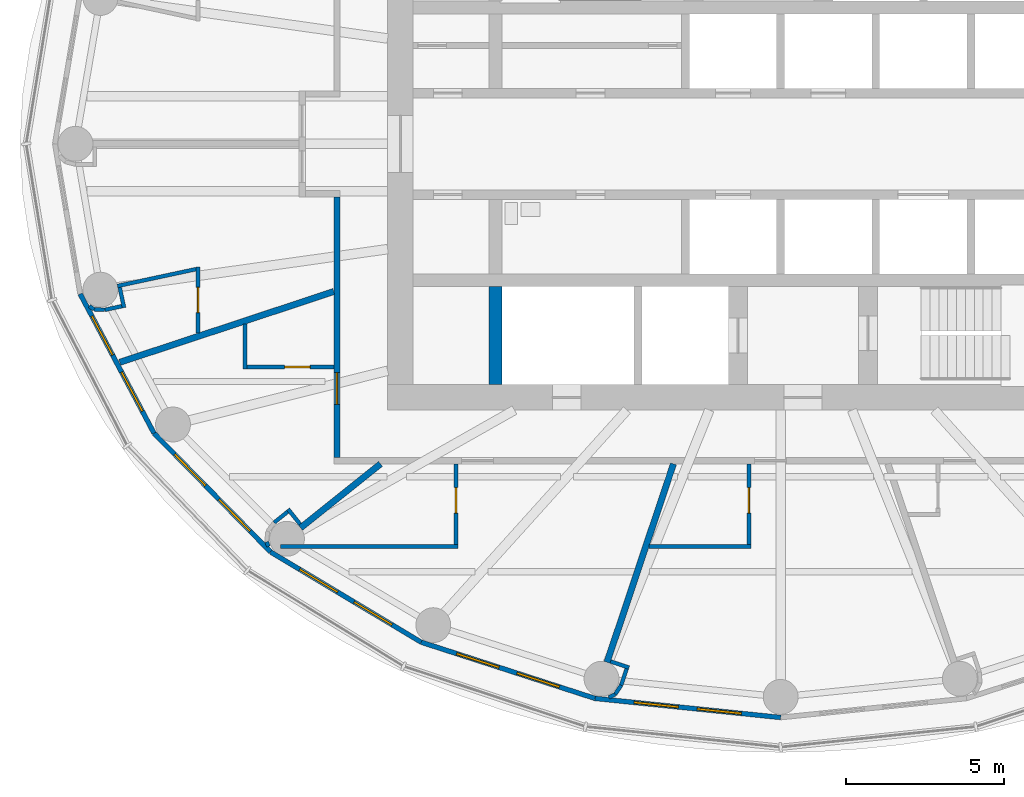
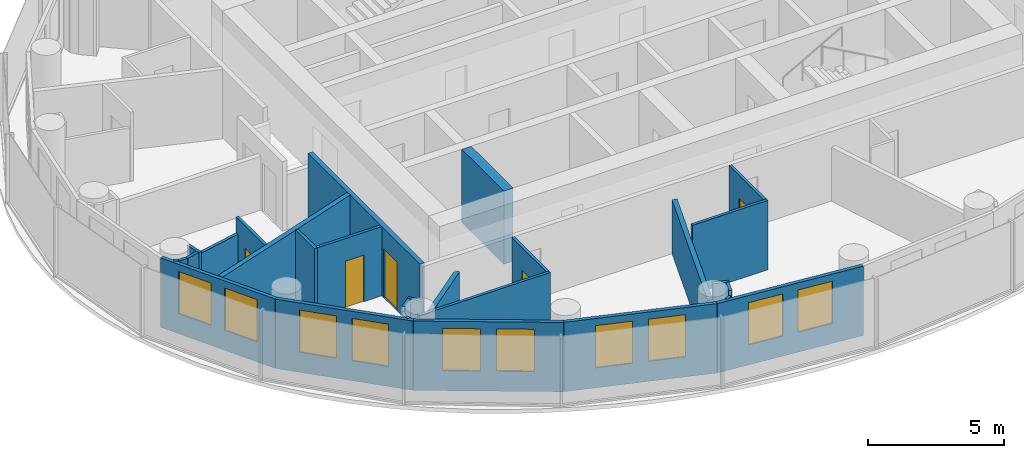
# One storey, part 6 of 16: 29 walls, 10 windows, 5 doors, 15 openings.
"""IFC4 building model written with IfcOpenShell, lengths in metres."""

from ifc_helpers import new_model, si_unit, direction, frame, frame_2d, origin, place, context, subcontext, project, spatial, rectangle, extrude, material, layer, layer_set, type_object, element, fill, save


model = new_model("IFC4")

# Units and contexts
model_context = context("Model", 3, precision=1e-05, world=origin(), true_north=direction((0.0, 1.0)))
body_context = subcontext(model_context, "Body", "Model", "MODEL_VIEW")
ifc_project = project(units=[si_unit("LENGTHUNIT", "METRE"), si_unit("AREAUNIT", "SQUARE_METRE"), si_unit("VOLUMEUNIT", "CUBIC_METRE"), si_unit("PLANEANGLEUNIT", "RADIAN"), si_unit("MASSUNIT", "GRAM", prefix="KILO")], contexts=[model_context])

# Site, building, storey
site_placement = place(None, origin())
site = spatial("IfcSite", under=ifc_project, at=site_placement, CompositionType="ELEMENT")
building_placement = place(site_placement, origin())
building = spatial("IfcBuilding", under=site, at=building_placement, Name="Hankou Lantern Tower", CompositionType="ELEMENT")
storey_placement = place(building_placement, frame((0.0, 0.0, 173.10009765625)))
storey = spatial("IfcBuildingStorey", under=building, at=storey_placement, Name="L46", CompositionType="ELEMENT", Elevation=173.10009765625)

# Wall
ifc_material_1 = material(Name="Concrete C60", Category="concrete")
ifc_layer_1 = layer(ifc_material_1, 0.39990234375)
ifc_layer_set_1 = layer_set([ifc_layer_1], Name="Concrete C60")
wall_type_1 = type_object("IfcWallType", Name="CW4 CORE CROSS WALL 400", PredefinedType="SHEAR", material=ifc_layer_set_1)
wall_1_placement = place(storey_placement, frame((-9.0, -7.60009765625, 0.0), z_axis=(0.0, 0.0, 1.0), x_axis=(0.0, 1.0, 0.0)))
element("IfcWall", 1, at=wall_1_placement, inside=storey, type_object=wall_type_1, Name="Core strip wall L46", PredefinedType="SHEAR", context=body_context, shape_type="SweptSolid", body=[
    extrude(rectangle(XDim=3.10009765625, YDim=0.39990234375, at=frame_2d((1.550048828125, 0.0))), origin(), (0.0, 0.0, 1.0), 3.2998046875),
])

# Wall, openings, windows
ifc_material_2 = material(Name="Aluminium spandrel panel on steel studs", Category="steel")
ifc_layer_2 = layer(ifc_material_2, 0.14990234375)
ifc_layer_set_2 = layer_set([ifc_layer_2], Name="Aluminium spandrel panel on steel studs")
wall_type_2 = type_object("IfcWallType", Name="EW1 INNER SKIN WALL 150", PredefinedType="ELEMENTEDWALL", material=ifc_layer_set_2)
wall_2_placement = place(storey_placement, frame((-22.1015625, -4.73779296875, 0.0), z_axis=(0.0, 0.0, 1.0), x_axis=(0.468428906714, -0.883501193748, 0.0)))
wall_2 = element("IfcWall", 2, at=wall_2_placement, inside=storey, type_object=wall_type_2, Name="Inner skin R14-R15 L46", PredefinedType="ELEMENTEDWALL", context=body_context, shape_type="SweptSolid", body=[
    extrude(rectangle(XDim=4.9736328125, YDim=0.14990234375, at=frame_2d((2.48681640625, 0.0))), origin(), (0.0, 0.0, 1.0), 3.119873046875),
])
opening_1_placement = place(wall_2_placement, frame((0.786865234375, 0.0, 0.89990234375)))
opening_1 = element("IfcOpeningElement", 3, at=opening_1_placement, cuts=wall_2, Name="Opening W3", PredefinedType="OPENING", context=body_context, shape_type="SweptSolid", body=[
    extrude(rectangle(XDim=1.39990234375, YDim=1.89990234375, at=frame_2d((0.699951171875, 0.949951171875))), frame((0.0, 0.0849609375, 0.0), z_axis=(0.0, -1.0, 0.0), x_axis=(1.0, 0.0, 0.0)), (0.0, 0.0, 1.0), 0.169921875),
])
opening_2_placement = place(wall_2_placement, frame((2.786865234375, 0.0, 0.89990234375)))
opening_2 = element("IfcOpeningElement", 4, at=opening_2_placement, cuts=wall_2, Name="Opening W3", PredefinedType="OPENING", context=body_context, shape_type="SweptSolid", body=[
    extrude(rectangle(XDim=1.39990234375, YDim=1.89990234375, at=frame_2d((0.699951171875, 0.949951171875))), frame((0.0, 0.0849609375, 0.0), z_axis=(0.0, -1.0, 0.0), x_axis=(1.0, 0.0, 0.0)), (0.0, 0.0, 1.0), 0.169921875),
])
ifc_material_3 = material(Name="Aluminium framed double glazed window", Category="aluminium")
window_type = type_object("IfcWindowType", Name="W3 GUEST ROOM WINDOW 1400X1900", PartitioningType="DOUBLE_PANEL_VERTICAL", PredefinedType="WINDOW", material=ifc_material_3)
window_1_placement = place(opening_1_placement, origin())
window_1 = element("IfcWindow", 5, at=window_1_placement, inside=storey, type_object=window_type, Name="Window R14.1 L46", OverallHeight=1.89990234375, OverallWidth=1.39990234375, PartitioningType="SINGLE_PANEL", PredefinedType="WINDOW", context=body_context, shape_type="SweptSolid", body=[
    extrude(rectangle(XDim=1.39990234375, YDim=1.89990234375, at=frame_2d((0.699951171875, 0.949951171875))), frame((0.0, 0.030029296875, 0.0), z_axis=(0.0, -1.0, 0.0), x_axis=(1.0, 0.0, 0.0)), (0.0, 0.0, 1.0), 0.06005859375),
])
fill(opening_1, window_1)
window_2_placement = place(opening_2_placement, origin())
window_2 = element("IfcWindow", 6, at=window_2_placement, inside=storey, type_object=window_type, Name="Window R14.2 L46", OverallHeight=1.89990234375, OverallWidth=1.39990234375, PartitioningType="SINGLE_PANEL", PredefinedType="WINDOW", context=body_context, shape_type="SweptSolid", body=[
    extrude(rectangle(XDim=1.39990234375, YDim=1.89990234375, at=frame_2d((0.699951171875, 0.949951171875))), frame((0.0, 0.030029296875, 0.0), z_axis=(0.0, -1.0, 0.0), x_axis=(1.0, 0.0, 0.0)), (0.0, 0.0, 1.0), 0.06005859375),
])
fill(opening_2, window_2)

wall_3_placement = place(storey_placement, frame((-19.771728515625, -9.132080078125, 0.0), z_axis=(0.0, 0.0, 1.0), x_axis=(0.700727467776, -0.71342905457, 0.0)))
wall_3 = element("IfcWall", 7, at=wall_3_placement, inside=storey, type_object=wall_type_2, Name="Inner skin R15-R16 L46", PredefinedType="ELEMENTEDWALL", context=body_context, shape_type="SweptSolid", body=[
    extrude(rectangle(XDim=5.247314453125, YDim=0.14990234375, at=frame_2d((2.62353515625, 0.0))), origin(), (0.0, 0.0, 1.0), 3.119873046875),
])
opening_3_placement = place(wall_3_placement, frame((0.923583984375, 0.0, 0.89990234375)))
opening_3 = element("IfcOpeningElement", 8, at=opening_3_placement, cuts=wall_3, Name="Opening W3", PredefinedType="OPENING", context=body_context, shape_type="SweptSolid", body=[
    extrude(rectangle(XDim=1.39990234375, YDim=1.89990234375, at=frame_2d((0.699951171875, 0.949951171875))), frame((0.0, 0.0849609375, 0.0), z_axis=(0.0, -1.0, 0.0), x_axis=(1.0, 0.0, 0.0)), (0.0, 0.0, 1.0), 0.169921875),
])
opening_4_placement = place(wall_3_placement, frame((2.923583984375, 0.0, 0.89990234375)))
opening_4 = element("IfcOpeningElement", 9, at=opening_4_placement, cuts=wall_3, Name="Opening W3", PredefinedType="OPENING", context=body_context, shape_type="SweptSolid", body=[
    extrude(rectangle(XDim=1.39990234375, YDim=1.89990234375, at=frame_2d((0.699951171875, 0.949951171875))), frame((0.0, 0.0849609375, 0.0), z_axis=(0.0, -1.0, 0.0), x_axis=(1.0, 0.0, 0.0)), (0.0, 0.0, 1.0), 0.169921875),
])
window_3_placement = place(opening_3_placement, origin())
window_3 = element("IfcWindow", 10, at=window_3_placement, inside=storey, type_object=window_type, Name="Window R15.1 L46", OverallHeight=1.89990234375, OverallWidth=1.39990234375, PartitioningType="SINGLE_PANEL", PredefinedType="WINDOW", context=body_context, shape_type="SweptSolid", body=[
    extrude(rectangle(XDim=1.39990234375, YDim=1.89990234375, at=frame_2d((0.699951171875, 0.949951171875))), frame((0.0, 0.030029296875, 0.0), z_axis=(0.0, -1.0, 0.0), x_axis=(1.0, 0.0, 0.0)), (0.0, 0.0, 1.0), 0.06005859375),
])
fill(opening_3, window_3)
window_4_placement = place(opening_4_placement, origin())
window_4 = element("IfcWindow", 11, at=window_4_placement, inside=storey, type_object=window_type, Name="Window R15.2 L46", OverallHeight=1.89990234375, OverallWidth=1.39990234375, PartitioningType="SINGLE_PANEL", PredefinedType="WINDOW", context=body_context, shape_type="SweptSolid", body=[
    extrude(rectangle(XDim=1.39990234375, YDim=1.89990234375, at=frame_2d((0.699951171875, 0.949951171875))), frame((0.0, 0.030029296875, 0.0), z_axis=(0.0, -1.0, 0.0), x_axis=(1.0, 0.0, 0.0)), (0.0, 0.0, 1.0), 0.06005859375),
])
fill(opening_4, window_4)

wall_4_placement = place(storey_placement, frame((-16.0947265625, -12.875732421875, 0.0), z_axis=(0.0, 0.0, 1.0), x_axis=(0.857695199231, -0.514158482587, 0.0)))
wall_4 = element("IfcWall", 12, at=wall_4_placement, inside=storey, type_object=wall_type_2, Name="Inner skin R16-R17 L46", PredefinedType="ELEMENTEDWALL", context=body_context, shape_type="SweptSolid", body=[
    extrude(rectangle(XDim=5.5361328125, YDim=0.14990234375, at=frame_2d((2.76806640625, 0.0))), origin(), (0.0, 0.0, 1.0), 3.119873046875),
])
opening_5_placement = place(wall_4_placement, frame((1.068115234375, 0.0, 0.89990234375)))
opening_5 = element("IfcOpeningElement", 13, at=opening_5_placement, cuts=wall_4, Name="Opening W3", PredefinedType="OPENING", context=body_context, shape_type="SweptSolid", body=[
    extrude(rectangle(XDim=1.39990234375, YDim=1.89990234375, at=frame_2d((0.699951171875, 0.949951171875))), frame((0.0, 0.0849609375, 0.0), z_axis=(0.0, -1.0, 0.0), x_axis=(1.0, 0.0, 0.0)), (0.0, 0.0, 1.0), 0.169921875),
])
opening_6_placement = place(wall_4_placement, frame((3.068115234375, 0.0, 0.89990234375)))
opening_6 = element("IfcOpeningElement", 14, at=opening_6_placement, cuts=wall_4, Name="Opening W3", PredefinedType="OPENING", context=body_context, shape_type="SweptSolid", body=[
    extrude(rectangle(XDim=1.39990234375, YDim=1.89990234375, at=frame_2d((0.699951171875, 0.949951171875))), frame((0.0, 0.0849609375, 0.0), z_axis=(0.0, -1.0, 0.0), x_axis=(1.0, 0.0, 0.0)), (0.0, 0.0, 1.0), 0.169921875),
])
window_5_placement = place(opening_5_placement, origin())
window_5 = element("IfcWindow", 15, at=window_5_placement, inside=storey, type_object=window_type, Name="Window R16.1 L46", OverallHeight=1.89990234375, OverallWidth=1.39990234375, PartitioningType="SINGLE_PANEL", PredefinedType="WINDOW", context=body_context, shape_type="SweptSolid", body=[
    extrude(rectangle(XDim=1.39990234375, YDim=1.89990234375, at=frame_2d((0.699951171875, 0.949951171875))), frame((0.0, 0.030029296875, 0.0), z_axis=(0.0, -1.0, 0.0), x_axis=(1.0, 0.0, 0.0)), (0.0, 0.0, 1.0), 0.06005859375),
])
fill(opening_5, window_5)
window_6_placement = place(opening_6_placement, origin())
window_6 = element("IfcWindow", 16, at=window_6_placement, inside=storey, type_object=window_type, Name="Window R16.2 L46", OverallHeight=1.89990234375, OverallWidth=1.39990234375, PartitioningType="SINGLE_PANEL", PredefinedType="WINDOW", context=body_context, shape_type="SweptSolid", body=[
    extrude(rectangle(XDim=1.39990234375, YDim=1.89990234375, at=frame_2d((0.699951171875, 0.949951171875))), frame((0.0, 0.030029296875, 0.0), z_axis=(0.0, -1.0, 0.0), x_axis=(1.0, 0.0, 0.0)), (0.0, 0.0, 1.0), 0.06005859375),
])
fill(opening_6, window_6)

wall_5_placement = place(storey_placement, frame((-11.346435546875, -15.72216796875, 0.0), z_axis=(0.0, 0.0, 1.0), x_axis=(0.951432482129, -0.307857486429, 0.0)))
wall_5 = element("IfcWall", 17, at=wall_5_placement, inside=storey, type_object=wall_type_2, Name="Inner skin R17-R18 L46", PredefinedType="ELEMENTEDWALL", context=body_context, shape_type="SweptSolid", body=[
    extrude(rectangle(XDim=5.76611328125, YDim=0.14990234375, at=frame_2d((2.883056640625, 0.0))), origin(), (0.0, 0.0, 1.0), 3.119873046875),
])
opening_7_placement = place(wall_5_placement, frame((1.18310546875, 0.0, 0.89990234375)))
opening_7 = element("IfcOpeningElement", 18, at=opening_7_placement, cuts=wall_5, Name="Opening W3", PredefinedType="OPENING", context=body_context, shape_type="SweptSolid", body=[
    extrude(rectangle(XDim=1.39990234375, YDim=1.89990234375, at=frame_2d((0.699951171875, 0.949951171875))), frame((0.0, 0.0849609375, 0.0), z_axis=(0.0, -1.0, 0.0), x_axis=(1.0, 0.0, 0.0)), (0.0, 0.0, 1.0), 0.169921875),
])
opening_8_placement = place(wall_5_placement, frame((3.18310546875, 0.0, 0.89990234375)))
opening_8 = element("IfcOpeningElement", 19, at=opening_8_placement, cuts=wall_5, Name="Opening W3", PredefinedType="OPENING", context=body_context, shape_type="SweptSolid", body=[
    extrude(rectangle(XDim=1.39990234375, YDim=1.89990234375, at=frame_2d((0.699951171875, 0.949951171875))), frame((0.0, 0.0849609375, 0.0), z_axis=(0.0, -1.0, 0.0), x_axis=(1.0, 0.0, 0.0)), (0.0, 0.0, 1.0), 0.169921875),
])
window_7_placement = place(opening_7_placement, origin())
window_7 = element("IfcWindow", 20, at=window_7_placement, inside=storey, type_object=window_type, Name="Window R17.1 L46", OverallHeight=1.89990234375, OverallWidth=1.39990234375, PartitioningType="SINGLE_PANEL", PredefinedType="WINDOW", context=body_context, shape_type="SweptSolid", body=[
    extrude(rectangle(XDim=1.39990234375, YDim=1.89990234375, at=frame_2d((0.699951171875, 0.949951171875))), frame((0.0, 0.030029296875, 0.0), z_axis=(0.0, -1.0, 0.0), x_axis=(1.0, 0.0, 0.0)), (0.0, 0.0, 1.0), 0.06005859375),
])
fill(opening_7, window_7)
window_8_placement = place(opening_8_placement, origin())
window_8 = element("IfcWindow", 21, at=window_8_placement, inside=storey, type_object=window_type, Name="Window R17.2 L46", OverallHeight=1.89990234375, OverallWidth=1.39990234375, PartitioningType="SINGLE_PANEL", PredefinedType="WINDOW", context=body_context, shape_type="SweptSolid", body=[
    extrude(rectangle(XDim=1.39990234375, YDim=1.89990234375, at=frame_2d((0.699951171875, 0.949951171875))), frame((0.0, 0.030029296875, 0.0), z_axis=(0.0, -1.0, 0.0), x_axis=(1.0, 0.0, 0.0)), (0.0, 0.0, 1.0), 0.06005859375),
])
fill(opening_8, window_8)

wall_6_placement = place(storey_placement, frame((-5.8603515625, -17.497314453125, 0.0), z_axis=(0.0, 0.0, 1.0), x_axis=(0.994751738032, -0.102318032045, 0.0)))
wall_6 = element("IfcWall", 22, at=wall_6_placement, inside=storey, type_object=wall_type_2, Name="Inner skin R18-R19 L46", PredefinedType="ELEMENTEDWALL", context=body_context, shape_type="SweptSolid", body=[
    extrude(rectangle(XDim=5.891357421875, YDim=0.14990234375, at=frame_2d((2.94580078125, 0.0))), origin(), (0.0, 0.0, 1.0), 3.119873046875),
])
opening_9_placement = place(wall_6_placement, frame((1.24560546875, 0.0, 0.89990234375)))
opening_9 = element("IfcOpeningElement", 23, at=opening_9_placement, cuts=wall_6, Name="Opening W3", PredefinedType="OPENING", context=body_context, shape_type="SweptSolid", body=[
    extrude(rectangle(XDim=1.39990234375, YDim=1.89990234375, at=frame_2d((0.699951171875, 0.949951171875))), frame((0.0, 0.0849609375, 0.0), z_axis=(0.0, -1.0, 0.0), x_axis=(1.0, 0.0, 0.0)), (0.0, 0.0, 1.0), 0.169921875),
])
opening_10_placement = place(wall_6_placement, frame((3.24560546875, 0.0, 0.89990234375)))
opening_10 = element("IfcOpeningElement", 24, at=opening_10_placement, cuts=wall_6, Name="Opening W3", PredefinedType="OPENING", context=body_context, shape_type="SweptSolid", body=[
    extrude(rectangle(XDim=1.39990234375, YDim=1.89990234375, at=frame_2d((0.699951171875, 0.949951171875))), frame((0.0, 0.0849609375, 0.0), z_axis=(0.0, -1.0, 0.0), x_axis=(1.0, 0.0, 0.0)), (0.0, 0.0, 1.0), 0.169921875),
])
window_9_placement = place(opening_9_placement, origin())
window_9 = element("IfcWindow", 25, at=window_9_placement, inside=storey, type_object=window_type, Name="Window R18.1 L46", OverallHeight=1.89990234375, OverallWidth=1.39990234375, PartitioningType="SINGLE_PANEL", PredefinedType="WINDOW", context=body_context, shape_type="SweptSolid", body=[
    extrude(rectangle(XDim=1.39990234375, YDim=1.89990234375, at=frame_2d((0.699951171875, 0.949951171875))), frame((0.0, 0.030029296875, 0.0), z_axis=(0.0, -1.0, 0.0), x_axis=(1.0, 0.0, 0.0)), (0.0, 0.0, 1.0), 0.06005859375),
])
fill(opening_9, window_9)
window_10_placement = place(opening_10_placement, origin())
window_10 = element("IfcWindow", 26, at=window_10_placement, inside=storey, type_object=window_type, Name="Window R18.2 L46", OverallHeight=1.89990234375, OverallWidth=1.39990234375, PartitioningType="SINGLE_PANEL", PredefinedType="WINDOW", context=body_context, shape_type="SweptSolid", body=[
    extrude(rectangle(XDim=1.39990234375, YDim=1.89990234375, at=frame_2d((0.699951171875, 0.949951171875))), frame((0.0, 0.030029296875, 0.0), z_axis=(0.0, -1.0, 0.0), x_axis=(1.0, 0.0, 0.0)), (0.0, 0.0, 1.0), 0.06005859375),
])
fill(opening_10, window_10)

# Walls
ifc_material_4 = material(Name="Masonry lightweight concrete block", Category="masonry")
ifc_layer_3 = layer(ifc_material_4, 0.199951171875)
ifc_layer_set_3 = layer_set([ifc_layer_3], Name="Masonry lightweight concrete block")
wall_type_3 = type_object("IfcWallType", Name="IW1 GUEST ROOM PARTY WALL 200", PredefinedType="PARTITIONING", material=ifc_layer_set_3)
wall_7_placement = place(storey_placement, frame((-14.10009765625, -4.661376953125, 0.0), z_axis=(0.0, 0.0, 1.0), x_axis=(-0.949453216399, -0.313908569285, 0.0)))
element("IfcWall", 27, at=wall_7_placement, inside=storey, type_object=wall_type_3, Name="Party wall R14-R15", PredefinedType="PARTITIONING", context=body_context, shape_type="SweptSolid", body=[
    extrude(rectangle(XDim=7.108642578125, YDim=0.199951171875, at=frame_2d((3.55419921875, 0.0))), origin(), (0.0, 0.0, 1.0), 3.119873046875),
])
wall_8_placement = place(storey_placement, frame((-12.625, -10.10009765625, 0.0), z_axis=(0.0, 0.0, 1.0), x_axis=(-0.780876185034, -0.624685827954, 0.0)))
element("IfcWall", 28, at=wall_8_placement, inside=storey, type_object=wall_type_3, Name="Party wall R16", PredefinedType="PARTITIONING", context=body_context, shape_type="SweptSolid", body=[
    extrude(rectangle(XDim=3.229248046875, YDim=0.199951171875, at=frame_2d((1.61474609375, 0.0))), origin(), (0.0, 0.0, 1.0), 2.419921875),
])
wall_9_placement = place(storey_placement, frame((-3.3828125, -10.10009765625, 0.0), z_axis=(0.0, 0.0, 1.0), x_axis=(-0.317615120474, -0.948219718866, 0.0)))
element("IfcWall", 29, at=wall_9_placement, inside=storey, type_object=wall_type_3, Name="Party wall R18", PredefinedType="PARTITIONING", context=body_context, shape_type="SweptSolid", body=[
    extrude(rectangle(XDim=6.597412109375, YDim=0.199951171875, at=frame_2d((3.298828125, 0.0))), origin(), (0.0, 0.0, 1.0), 2.419921875),
])

# Wall, opening, door
ifc_material_5 = material(Name="Masonry lightweight concrete block", Category="masonry")
ifc_layer_4 = layer(ifc_material_5, 0.199951171875)
ifc_layer_set_4 = layer_set([ifc_layer_4], Name="Masonry lightweight concrete block")
wall_type_4 = type_object("IfcWallType", Name="IW2 CORRIDOR WALL 200", PredefinedType="PARTITIONING", material=ifc_layer_set_4)
wall_10_placement = place(storey_placement, frame((-14.0, -1.669921875, 0.0), z_axis=(0.0, 0.0, 1.0), x_axis=(0.0, -1.0, 0.0)))
wall_10 = element("IfcWall", 30, at=wall_10_placement, inside=storey, type_object=wall_type_4, Name="Corridor wall west", PredefinedType="PARTITIONING", context=body_context, shape_type="SweptSolid", body=[
    extrude(rectangle(XDim=8.22998046875, YDim=0.199951171875, at=frame_2d((4.114990234375, 0.0))), origin(), (0.0, 0.0, 1.0), 3.119873046875),
])
opening_11_placement = place(wall_10_placement, frame((5.551513671875, 0.0, 0.0)))
opening_11 = element("IfcOpeningElement", 31, at=opening_11_placement, cuts=wall_10, Name="Opening D1", PredefinedType="OPENING", context=body_context, shape_type="SweptSolid", body=[
    extrude(rectangle(XDim=1.0, YDim=2.199951171875, at=frame_2d((0.5, 1.10009765625))), frame((0.0, 0.10986328125, 0.0), z_axis=(0.0, -1.0, 0.0), x_axis=(1.0, 0.0, 0.0)), (0.0, 0.0, 1.0), 0.219970703125),
])
ifc_material_6 = material(Name="Steel door leaf", Category="steel")
door_type_1 = type_object("IfcDoorType", Name="D1 GUEST ROOM DOOR 1000X2200", OperationType="SINGLE_SWING_LEFT", PredefinedType="DOOR", material=ifc_material_6)
door_1_placement = place(opening_11_placement, origin())
door_1 = element("IfcDoor", 32, at=door_1_placement, inside=storey, type_object=door_type_1, Name="Guest room door 4614", OperationType="SINGLE_SWING_RIGHT", OverallHeight=2.199951171875, OverallWidth=1.0, PredefinedType="DOOR", context=body_context, shape_type="SweptSolid", body=[
    extrude(rectangle(XDim=1.0, YDim=2.199951171875, at=frame_2d((0.5, 1.10009765625))), frame((0.0, 0.02490234375, 0.0), z_axis=(0.0, -1.0, 0.0), x_axis=(1.0, 0.0, 0.0)), (0.0, 0.0, 1.0), 0.050048828125),
])
fill(opening_11, door_1)

# Wall
ifc_material_7 = material(Name="Masonry lightweight concrete block", Category="masonry")
ifc_layer_5 = layer(ifc_material_7, 0.1201171875)
ifc_layer_set_5 = layer_set([ifc_layer_5], Name="Masonry lightweight concrete block")
wall_type_5 = type_object("IfcWallType", Name="IW3 BATHROOM WALL 120", PredefinedType="PARTITIONING", material=ifc_layer_set_5)
wall_11_placement = place(storey_placement, frame((-15.77490234375, -12.699951171875, 0.0), z_axis=(0.0, 0.0, 1.0), x_axis=(1.0, 0.0, 0.0)))
element("IfcWall", 33, at=wall_11_placement, inside=storey, type_object=wall_type_5, Name="Box wall 4601 1", PredefinedType="PARTITIONING", context=body_context, shape_type="SweptSolid", body=[
    extrude(rectangle(XDim=5.58984375, YDim=0.1201171875, at=frame_2d((2.794921875, 0.0))), origin(), (0.0, 0.0, 1.0), 3.119873046875),
])

# Wall, opening, door
wall_12_placement = place(storey_placement, frame((-10.2451171875, -10.10009765625, 0.0), z_axis=(0.0, 0.0, 1.0), x_axis=(0.0, -1.0, 0.0)))
wall_12 = element("IfcWall", 34, at=wall_12_placement, inside=storey, type_object=wall_type_5, Name="Box wall 4601 1", PredefinedType="PARTITIONING", context=body_context, shape_type="SweptSolid", body=[
    extrude(rectangle(XDim=2.539794921875, YDim=0.1201171875, at=frame_2d((1.27001953125, 0.0))), origin(), (0.0, 0.0, 1.0), 3.119873046875),
])
opening_12_placement = place(wall_12_placement, frame((0.75, 0.0, 0.0)))
opening_12 = element("IfcOpeningElement", 35, at=opening_12_placement, cuts=wall_12, Name="Opening D3", PredefinedType="OPENING", context=body_context, shape_type="SweptSolid", body=[
    extrude(rectangle(XDim=0.800048828125, YDim=2.10009765625, at=frame_2d((0.39990234375, 1.050048828125))), frame((0.0, 0.070068359375, 0.0), z_axis=(0.0, -1.0, 0.0), x_axis=(1.0, 0.0, 0.0)), (0.0, 0.0, 1.0), 0.14013671875),
])
ifc_material_8 = material(Name="Timber door leaf", Category="wood")
door_type_2 = type_object("IfcDoorType", Name="D3 BATHROOM DOOR 800X2100", OperationType="SINGLE_SWING_LEFT", PredefinedType="DOOR", material=ifc_material_8)
door_2_placement = place(opening_12_placement, origin())
door_2 = element("IfcDoor", 36, at=door_2_placement, inside=storey, type_object=door_type_2, Name="Junior suite 4601 bathroom door", OperationType="SINGLE_SWING_LEFT", OverallHeight=2.10009765625, OverallWidth=0.800048828125, PredefinedType="DOOR", context=body_context, shape_type="SweptSolid", body=[
    extrude(rectangle(XDim=0.800048828125, YDim=2.10009765625, at=frame_2d((0.39990234375, 1.050048828125))), frame((0.0, 0.02490234375, 0.0), z_axis=(0.0, -1.0, 0.0), x_axis=(1.0, 0.0, 0.0)), (0.0, 0.0, 1.0), 0.050048828125),
])
fill(opening_12, door_2)

# Wall
wall_13_placement = place(storey_placement, frame((-4.15380859375, -12.699951171875, 0.0), z_axis=(0.0, 0.0, 1.0), x_axis=(1.0, 0.0, 0.0)))
element("IfcWall", 37, at=wall_13_placement, inside=storey, type_object=wall_type_5, Name="Box wall 4602 1", PredefinedType="PARTITIONING", context=body_context, shape_type="SweptSolid", body=[
    extrude(rectangle(XDim=3.2109375, YDim=0.1201171875, at=frame_2d((1.60546875, 0.0))), origin(), (0.0, 0.0, 1.0), 3.119873046875),
])

# Wall, opening, door
wall_14_placement = place(storey_placement, frame((-1.0029296875, -10.10009765625, 0.0), z_axis=(0.0, 0.0, 1.0), x_axis=(0.0, -1.0, 0.0)))
wall_14 = element("IfcWall", 38, at=wall_14_placement, inside=storey, type_object=wall_type_5, Name="Box wall 4602 1", PredefinedType="PARTITIONING", context=body_context, shape_type="SweptSolid", body=[
    extrude(rectangle(XDim=2.539794921875, YDim=0.1201171875, at=frame_2d((1.27001953125, 0.0))), origin(), (0.0, 0.0, 1.0), 3.119873046875),
])
opening_13_placement = place(wall_14_placement, frame((0.75, 0.0, 0.0)))
opening_13 = element("IfcOpeningElement", 39, at=opening_13_placement, cuts=wall_14, Name="Opening D3", PredefinedType="OPENING", context=body_context, shape_type="SweptSolid", body=[
    extrude(rectangle(XDim=0.800048828125, YDim=2.10009765625, at=frame_2d((0.39990234375, 1.050048828125))), frame((0.0, 0.070068359375, 0.0), z_axis=(0.0, -1.0, 0.0), x_axis=(1.0, 0.0, 0.0)), (0.0, 0.0, 1.0), 0.14013671875),
])
door_3_placement = place(opening_13_placement, origin())
door_3 = element("IfcDoor", 40, at=door_3_placement, inside=storey, type_object=door_type_2, Name="Junior suite 4602 bathroom door", OperationType="SINGLE_SWING_LEFT", OverallHeight=2.10009765625, OverallWidth=0.800048828125, PredefinedType="DOOR", context=body_context, shape_type="SweptSolid", body=[
    extrude(rectangle(XDim=0.800048828125, YDim=2.10009765625, at=frame_2d((0.39990234375, 1.050048828125))), frame((0.0, 0.02490234375, 0.0), z_axis=(0.0, -1.0, 0.0), x_axis=(1.0, 0.0, 0.0)), (0.0, 0.0, 1.0), 0.050048828125),
])
fill(opening_13, door_3)

wall_15_placement = place(storey_placement, frame((-18.380859375, -5.971435546875, 0.0), z_axis=(0.0, 0.0, 1.0), x_axis=(-0.000934142516, 0.999999563689, 0.0)))
wall_15 = element("IfcWall", 41, at=wall_15_placement, inside=storey, type_object=wall_type_5, Name="Box wall 4613 1", PredefinedType="PARTITIONING", context=body_context, shape_type="SweptSolid", body=[
    extrude(rectangle(XDim=2.0908203125, YDim=0.1201171875, at=frame_2d((1.04541015625, 0.0))), origin(), (0.0, 0.0, 1.0), 3.119873046875),
])
opening_14_placement = place(wall_15_placement, frame((0.6455078125, 0.0, 0.0)))
opening_14 = element("IfcOpeningElement", 42, at=opening_14_placement, cuts=wall_15, Name="Opening D3", PredefinedType="OPENING", context=body_context, shape_type="SweptSolid", body=[
    extrude(rectangle(XDim=0.800048828125, YDim=2.10009765625, at=frame_2d((0.39990234375, 1.050048828125))), frame((0.0, 0.070068359375, 0.0), z_axis=(0.0, -1.0, 0.0), x_axis=(1.0, 0.0, 0.0)), (0.0, 0.0, 1.0), 0.14013671875),
])
door_4_placement = place(opening_14_placement, origin())
door_4 = element("IfcDoor", 43, at=door_4_placement, inside=storey, type_object=door_type_2, Name="En-suite bathroom 4613 door", OperationType="SINGLE_SWING_RIGHT", OverallHeight=2.10009765625, OverallWidth=0.800048828125, PredefinedType="DOOR", context=body_context, shape_type="SweptSolid", body=[
    extrude(rectangle(XDim=0.800048828125, YDim=2.10009765625, at=frame_2d((0.39990234375, 1.050048828125))), frame((0.0, 0.02490234375, 0.0), z_axis=(0.0, -1.0, 0.0), x_axis=(1.0, 0.0, 0.0)), (0.0, 0.0, 1.0), 0.050048828125),
])
fill(opening_14, door_4)

# Walls
wall_16_placement = place(storey_placement, frame((-18.44140625, -3.953125, 0.0), z_axis=(0.0, 0.0, 1.0), x_axis=(-0.977801007461, -0.209535652833, 0.0)))
element("IfcWall", 44, at=wall_16_placement, inside=storey, type_object=wall_type_5, Name="Box wall 4613 2", PredefinedType="PARTITIONING", context=body_context, shape_type="SweptSolid", body=[
    extrude(rectangle(XDim=2.5400390625, YDim=0.1201171875, at=frame_2d((1.27001953125, 0.0))), origin(), (0.0, 0.0, 1.0), 2.419921875),
])
wall_17_placement = place(storey_placement, frame((-20.853759765625, -4.531494140625, 0.0), z_axis=(0.0, 0.0, 1.0), x_axis=(0.209631346779, -0.977780496046, 0.0)))
element("IfcWall", 45, at=wall_17_placement, inside=storey, type_object=wall_type_5, Name="Column casing 4613 return", PredefinedType="PARTITIONING", context=body_context, shape_type="SweptSolid", body=[
    extrude(rectangle(XDim=0.652099609375, YDim=0.1201171875, at=frame_2d((0.326171875, 0.0))), origin(), (0.0, 0.0, 1.0), 3.119873046875),
])
wall_18_placement = place(storey_placement, frame((-20.788330078125, -5.123291015625, 0.0), z_axis=(0.0, 0.0, 1.0), x_axis=(-0.977789415726, -0.209589738521, 0.0)))
element("IfcWall", 46, at=wall_18_placement, inside=storey, type_object=wall_type_5, Name="Column casing 4613", PredefinedType="PARTITIONING", context=body_context, shape_type="SweptSolid", body=[
    extrude(rectangle(XDim=0.5498046875, YDim=0.1201171875, at=frame_2d((0.27490234375, 0.0))), origin(), (0.0, 0.0, 1.0), 3.119873046875),
])
wall_19_placement = place(storey_placement, frame((-21.325927734375, -5.238525390625, 0.0), z_axis=(0.0, 0.0, 1.0), x_axis=(-0.998719689441, 0.050586380797, 0.0)))
element("IfcWall", 47, at=wall_19_placement, inside=storey, type_object=wall_type_5, Name="Column casing 4613", PredefinedType="PARTITIONING", context=body_context, shape_type="SweptSolid", body=[
    extrude(rectangle(XDim=0.337890625, YDim=0.1201171875, at=frame_2d((0.1689453125, 0.0))), origin(), (0.0, 0.0, 1.0), 3.119873046875),
])
wall_20_placement = place(storey_placement, frame((-21.663330078125, -5.221435546875, 0.0), z_axis=(0.0, 0.0, 1.0), x_axis=(-0.839279022252, 0.543700949795, 0.0)))
element("IfcWall", 48, at=wall_20_placement, inside=storey, type_object=wall_type_5, Name="Column casing 4613", PredefinedType="PARTITIONING", context=body_context, shape_type="SweptSolid", body=[
    extrude(rectangle(XDim=0.18017578125, YDim=0.1201171875, at=frame_2d((0.090087890625, 0.0))), origin(), (0.0, 0.0, 1.0), 3.119873046875),
])
wall_21_placement = place(storey_placement, frame((-16.89990234375, -5.687255859375, 0.0), z_axis=(0.0, 0.0, 1.0), x_axis=(0.0, -1.0, 0.0)))
element("IfcWall", 49, at=wall_21_placement, inside=storey, type_object=wall_type_5, Name="Box wall 4614 1", PredefinedType="PARTITIONING", context=body_context, shape_type="SweptSolid", body=[
    extrude(rectangle(XDim=1.414306640625, YDim=0.1201171875, at=frame_2d((0.70703125, 0.0))), origin(), (0.0, 0.0, 1.0), 3.119873046875),
])

# Wall, opening, door
wall_22_placement = place(storey_placement, frame((-14.10009765625, -7.04150390625, 0.0), z_axis=(0.0, 0.0, 1.0), x_axis=(-1.0, 0.0, 0.0)))
wall_22 = element("IfcWall", 50, at=wall_22_placement, inside=storey, type_object=wall_type_5, Name="Box wall 4614 1", PredefinedType="PARTITIONING", context=body_context, shape_type="SweptSolid", body=[
    extrude(rectangle(XDim=2.739990234375, YDim=0.1201171875, at=frame_2d((1.3701171875, 0.0))), origin(), (0.0, 0.0, 1.0), 3.119873046875),
])
opening_15_placement = place(wall_22_placement, frame((0.75, 0.0, 0.0)))
opening_15 = element("IfcOpeningElement", 51, at=opening_15_placement, cuts=wall_22, Name="Opening D3", PredefinedType="OPENING", context=body_context, shape_type="SweptSolid", body=[
    extrude(rectangle(XDim=0.800048828125, YDim=2.10009765625, at=frame_2d((0.39990234375, 1.050048828125))), frame((0.0, 0.070068359375, 0.0), z_axis=(0.0, -1.0, 0.0), x_axis=(1.0, 0.0, 0.0)), (0.0, 0.0, 1.0), 0.14013671875),
])
door_5_placement = place(opening_15_placement, origin())
door_5 = element("IfcDoor", 52, at=door_5_placement, inside=storey, type_object=door_type_2, Name="En-suite bathroom 4614 door", OperationType="SINGLE_SWING_LEFT", OverallHeight=2.10009765625, OverallWidth=0.800048828125, PredefinedType="DOOR", context=body_context, shape_type="SweptSolid", body=[
    extrude(rectangle(XDim=0.800048828125, YDim=2.10009765625, at=frame_2d((0.39990234375, 1.050048828125))), frame((0.0, 0.02490234375, 0.0), z_axis=(0.0, -1.0, 0.0), x_axis=(1.0, 0.0, 0.0)), (0.0, 0.0, 1.0), 0.050048828125),
])
fill(opening_15, door_5)

# Walls
ifc_material_9 = material(Name="Masonry lightweight concrete block", Category="masonry")
ifc_layer_6 = layer(ifc_material_9, 0.1201171875)
ifc_layer_set_6 = layer_set([ifc_layer_6], Name="Masonry lightweight concrete block")
wall_type_6 = type_object("IfcWallType", Name="IW4 PARTITION 120", PredefinedType="PARTITIONING", material=ifc_layer_set_6)
wall_23_placement = place(storey_placement, frame((-15.162353515625, -12.001708984375, 0.0), z_axis=(0.0, 0.0, 1.0), x_axis=(-0.624597762427, 0.780946627607, 0.0)))
element("IfcWall", 53, at=wall_23_placement, inside=storey, type_object=wall_type_6, Name="Column casing R16 return", PredefinedType="PARTITIONING", context=body_context, shape_type="SweptSolid", body=[
    extrude(rectangle(XDim=0.612060546875, YDim=0.1201171875, at=frame_2d((0.30615234375, 0.0))), origin(), (0.0, 0.0, 1.0), 3.119873046875),
])
wall_24_placement = place(storey_placement, frame((-15.55419921875, -11.60791015625, 0.0), z_axis=(0.0, 0.0, 1.0), x_axis=(-0.780695577787, -0.624911525597, 0.0)))
element("IfcWall", 54, at=wall_24_placement, inside=storey, type_object=wall_type_6, Name="Column casing R16", PredefinedType="PARTITIONING", context=body_context, shape_type="SweptSolid", body=[
    extrude(rectangle(XDim=0.550048828125, YDim=0.1201171875, at=frame_2d((0.27490234375, 0.0))), origin(), (0.0, 0.0, 1.0), 3.119873046875),
])
wall_25_placement = place(storey_placement, frame((-16.220947265625, -12.55908203125, 0.0), z_axis=(0.0, 0.0, 1.0), x_axis=(0.401064416249, -0.916049853457, 0.0)))
element("IfcWall", 55, at=wall_25_placement, inside=storey, type_object=wall_type_6, Name="Column casing R16", PredefinedType="PARTITIONING", context=body_context, shape_type="SweptSolid", body=[
    extrude(rectangle(XDim=0.156494140625, YDim=0.1201171875, at=frame_2d((0.078125, 0.0))), origin(), (0.0, 0.0, 1.0), 3.119873046875),
])
wall_26_placement = place(storey_placement, frame((-5.3642578125, -16.330810546875, 0.0), z_axis=(0.0, 0.0, 1.0), x_axis=(0.948283770087, -0.317423835572, 0.0)))
element("IfcWall", 56, at=wall_26_placement, inside=storey, type_object=wall_type_6, Name="Column casing R18 return", PredefinedType="PARTITIONING", context=body_context, shape_type="SweptSolid", body=[
    extrude(rectangle(XDim=0.6123046875, YDim=0.1201171875, at=frame_2d((0.30615234375, 0.0))), origin(), (0.0, 0.0, 1.0), 3.119873046875),
])
wall_27_placement = place(storey_placement, frame((-4.859619140625, -16.56298828125, 0.0), z_axis=(0.0, 0.0, 1.0), x_axis=(-0.317825321803, -0.948149284038, 0.0)))
element("IfcWall", 57, at=wall_27_placement, inside=storey, type_object=wall_type_6, Name="Column casing R18", PredefinedType="PARTITIONING", context=body_context, shape_type="SweptSolid", body=[
    extrude(rectangle(XDim=0.550048828125, YDim=0.1201171875, at=frame_2d((0.27490234375, 0.0))), origin(), (0.0, 0.0, 1.0), 3.119873046875),
])
wall_28_placement = place(storey_placement, frame((-5.034423828125, -17.08447265625, 0.0), z_axis=(0.0, 0.0, 1.0), x_axis=(-0.552362205726, -0.833604218851, 0.0)))
element("IfcWall", 58, at=wall_28_placement, inside=storey, type_object=wall_type_6, Name="Column casing R18", PredefinedType="PARTITIONING", context=body_context, shape_type="SweptSolid", body=[
    extrude(rectangle(XDim=0.337646484375, YDim=0.1201171875, at=frame_2d((0.1689453125, 0.0))), origin(), (0.0, 0.0, 1.0), 3.119873046875),
])
wall_29_placement = place(storey_placement, frame((-5.220947265625, -17.365966796875, 0.0), z_axis=(0.0, 0.0, 1.0), x_axis=(-0.895067896179, -0.445929883759, 0.0)))
element("IfcWall", 59, at=wall_29_placement, inside=storey, type_object=wall_type_6, Name="Column casing R18", PredefinedType="PARTITIONING", context=body_context, shape_type="SweptSolid", body=[
    extrude(rectangle(XDim=0.228271484375, YDim=0.1201171875, at=frame_2d((0.1142578125, 0.0))), origin(), (0.0, 0.0, 1.0), 3.119873046875),
])

save(model, "model.ifc")
